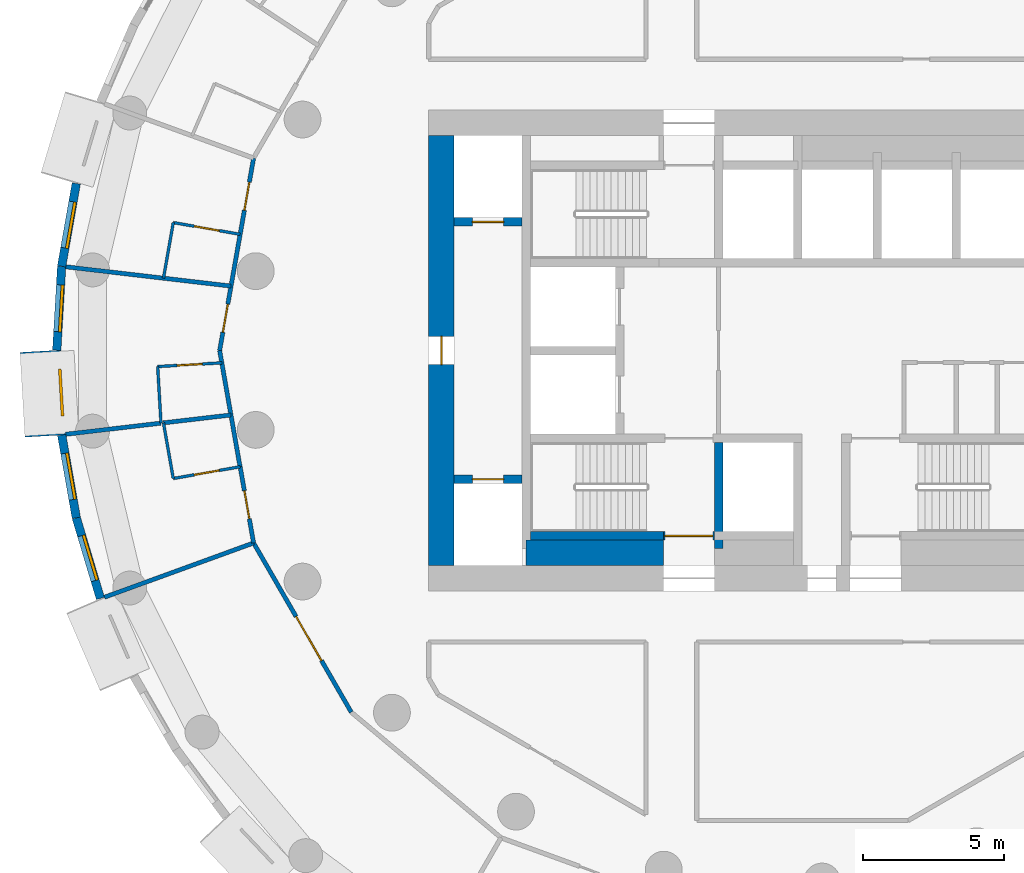
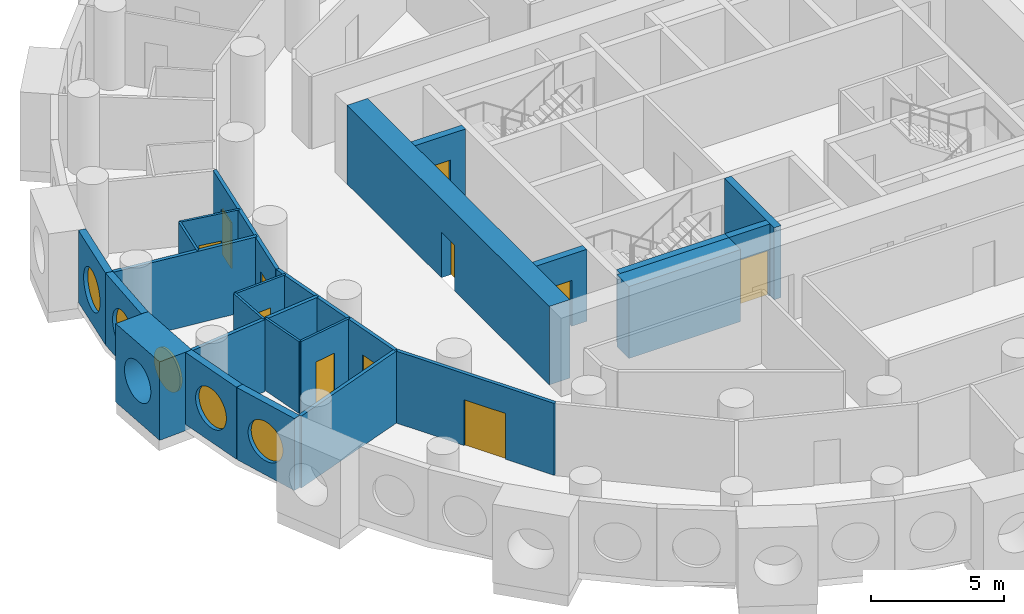
# One storey, part 3 of 10: 26 walls, 11 doors, 5 windows, 16 openings.
"""IFC4 building model written with IfcOpenShell, lengths in metres."""

from ifc_helpers import new_model, si_unit, direction, frame, frame_2d, origin, origin_2d, place, context, subcontext, project, spatial, rectangle, circle, extrude, material, layer, layer_set, type_object, element, fill, save


model = new_model("IFC4")

# Units and contexts
model_context = context("Model", 3, precision=1e-05, world=origin(), true_north=direction((0.0, 1.0)))
body_context = subcontext(model_context, "Body", "Model", "MODEL_VIEW")
ifc_project = project(units=[si_unit("LENGTHUNIT", "METRE"), si_unit("AREAUNIT", "SQUARE_METRE"), si_unit("VOLUMEUNIT", "CUBIC_METRE"), si_unit("PLANEANGLEUNIT", "RADIAN"), si_unit("MASSUNIT", "GRAM", prefix="KILO")], contexts=[model_context])

# Site, building, storey
site_placement = place(None, origin())
site = spatial("IfcSite", under=ifc_project, at=site_placement, CompositionType="ELEMENT")
building_placement = place(site_placement, origin())
building = spatial("IfcBuilding", under=site, at=building_placement, Name="Tracery Tower", CompositionType="ELEMENT")
storey_placement = place(building_placement, frame((0.0, 0.0, 140.39990234375)))
storey = spatial("IfcBuildingStorey", under=building, at=storey_placement, Name="L35", CompositionType="ELEMENT", Elevation=140.39990234375)

# Wall
ifc_material_1 = material(Name="Concrete C50/60", Category="concrete")
ifc_layer_1 = layer(ifc_material_1, 0.89990234375)
ifc_layer_set_1 = layer_set([ifc_layer_1], Name="Core strip wall 900 C50")
wall_type_1 = type_object("IfcWallType", Name="Core strip wall 900 C50", PredefinedType="SOLIDWALL", material=ifc_layer_set_1)
wall_1_placement = place(storey_placement, frame((-9.050048828125, -7.14990234375, 0.0), z_axis=(0.0, 0.0, 1.0), x_axis=(1.0, 0.0, 0.0)))
element("IfcWall", 1, at=wall_1_placement, inside=storey, type_object=wall_type_1, Name="L35 F thick S W", PredefinedType="SOLIDWALL", context=body_context, shape_type="SweptSolid", body=[
    extrude(rectangle(XDim=4.85009765625, YDim=0.89990234375, at=frame_2d((2.425048828125, 0.0))), origin(), (0.0, 0.0, 1.0), 3.300048828125),
])

# Wall, opening, door
ifc_material_2 = material(Name="Concrete C50/60", Category="concrete")
ifc_layer_2 = layer(ifc_material_2, 0.89990234375)
ifc_layer_set_2 = layer_set([ifc_layer_2], Name="Core wall 900 C50")
wall_type_2 = type_object("IfcWallType", Name="Core wall 900 C50", PredefinedType="SOLIDWALL", material=ifc_layer_set_2)
wall_2_placement = place(storey_placement, frame((-12.050048828125, -7.60009765625, 0.0), z_axis=(0.0, 0.0, 1.0), x_axis=(0.0, 1.0, 0.0)))
wall_2 = element("IfcWall", 2, at=wall_2_placement, inside=storey, type_object=wall_type_2, Name="L35 outer W", PredefinedType="SOLIDWALL", context=body_context, shape_type="SweptSolid", body=[
    extrude(rectangle(XDim=15.2001953125, YDim=0.89990234375, at=frame_2d((7.60009765625, 0.0))), origin(), (0.0, 0.0, 1.0), 3.60009765625),
])
opening_1_placement = place(wall_2_placement, frame((7.10009765625, 0.0, 0.0)))
opening_1 = element("IfcOpeningElement", 3, at=opening_1_placement, cuts=wall_2, Name="Opening KD18", PredefinedType="OPENING", context=body_context, shape_type="SweptSolid", body=[
    extrude(rectangle(XDim=1.0, YDim=2.10009765625, at=frame_2d((0.5, 1.050048828125))), frame((0.0, 0.449951171875, 0.0), z_axis=(0.0, -1.0, 0.0), x_axis=(1.0, 0.0, 0.0)), (0.0, 0.0, 1.0), 0.89990234375),
])
ifc_material_3 = material(Name="Steel fire door", Category="steel")
door_type_1 = type_object("IfcDoorType", Name="Core exit door 1000", OperationType="NOTDEFINED", PredefinedType="DOOR", material=ifc_material_3)
door_1_placement = place(opening_1_placement, origin())
door_1 = element("IfcDoor", 4, at=door_1_placement, inside=storey, type_object=door_type_1, Name="Core exit door", OperationType="DOUBLE_DOOR_SINGLE_SWING", OverallHeight=2.10009765625, OverallWidth=1.0, PredefinedType="DOOR", context=body_context, shape_type="SweptSolid", body=[
    extrude(rectangle(XDim=1.0, YDim=2.10009765625, at=frame_2d((0.5, 1.050048828125))), frame((0.0, 0.02490234375, 0.0), z_axis=(0.0, -1.0, 0.0), x_axis=(1.0, 0.0, 0.0)), (0.0, 0.0, 1.0), 0.050048828125),
])
fill(opening_1, door_1)

# Wall, opening, window
ifc_material_4 = material(Name="Precast concrete C50/60", Category="concrete")
ifc_layer_3 = layer(ifc_material_4, 1.449951171875)
ifc_layer_set_3 = layer_set([ifc_layer_3], Name="Deep-set bay unit 3000 x 3600, slab edge 300")
wall_type_3 = type_object("IfcWallType", Name="Deep-set bay unit 3000 x 3600, slab edge 300", PredefinedType="ELEMENTEDWALL", material=ifc_layer_set_3)
wall_3_placement = place(storey_placement, frame((-26.221923828125, -0.024658203125, -0.2998046875), z_axis=(0.0, 0.0, 1.0), x_axis=(0.058106596105, -0.998310384344, 0.0)))
wall_3 = element("IfcWall", 5, at=wall_3_placement, inside=storey, type_object=wall_type_3, Name="Deep-set bay unit 28 at L35", PredefinedType="ELEMENTEDWALL", context=body_context, shape_type="SweptSolid", body=[
    extrude(rectangle(XDim=3.0, YDim=1.449951171875, at=frame_2d((1.5, 0.0))), origin(), (0.0, 0.0, 1.0), 3.599853515625),
])
opening_2_placement = place(wall_3_placement, frame((1.5, 0.0, 1.85009765625)))
opening_2 = element("IfcOpeningElement", 6, at=opening_2_placement, cuts=wall_3, Name="Opening WN1", PredefinedType="OPENING", context=body_context, shape_type="SweptSolid", body=[
    extrude(circle(Radius=0.9000244140625, at=origin_2d()), frame((0.0, 0.73486328125, 0.0), z_axis=(0.0, -1.0, 0.0), x_axis=(1.0, 0.0, 0.0)), (0.0, 0.0, 1.0), 1.469970703125),
])
ifc_material_5 = material(Name="Aluminium frame with tinted double glazing", Category="aluminium")
window_type = type_object("IfcWindowType", Name="Round window 1800", PartitioningType="SINGLE_PANEL", PredefinedType="WINDOW", material=ifc_material_5)
window_1_placement = place(opening_2_placement, origin())
window_1 = element("IfcWindow", 7, at=window_1_placement, inside=storey, type_object=window_type, Name="Round window 28 at L35", OverallHeight=1.800048828125, OverallWidth=1.800048828125, PartitioningType="SINGLE_PANEL", PredefinedType="WINDOW", context=body_context, shape_type="SweptSolid", body=[
    extrude(circle(Radius=0.9000244140625, at=origin_2d()), frame((0.0, 0.69482421875, 0.0), z_axis=(0.0, -1.0, 0.0), x_axis=(1.0, 0.0, 0.0)), (0.0, 0.0, 1.0), 0.10009765625),
])
fill(opening_2, window_1)

ifc_material_6 = material(Name="Precast concrete C50/60", Category="concrete")
ifc_layer_4 = layer(ifc_material_6, 0.300048828125)
ifc_layer_set_4 = layer_set([ifc_layer_4], Name="Facade panel 3000 x 3300")
wall_type_4 = type_object("IfcWallType", Name="Facade panel 3000 x 3300", PredefinedType="SOLIDWALL", material=ifc_layer_set_4)
wall_4_placement = place(storey_placement, frame((-24.957763671875, 5.9052734375, 0.0), z_axis=(0.0, 0.0, 1.0), x_axis=(-0.173686952598, -0.984800915159, 0.0)))
wall_4 = element("IfcWall", 8, at=wall_4_placement, inside=storey, type_object=wall_type_4, Name="Facade panel 26 at L35", PredefinedType="SOLIDWALL", context=body_context, shape_type="SweptSolid", body=[
    extrude(rectangle(XDim=2.972900390625, YDim=0.300048828125, at=frame_2d((1.486328125, 0.0))), origin(), (0.0, 0.0, 1.0), 3.300048828125),
])
opening_3_placement = place(wall_4_placement, frame((1.486328125, 0.0, 1.5498046875)))
opening_3 = element("IfcOpeningElement", 9, at=opening_3_placement, cuts=wall_4, Name="Opening WN1", PredefinedType="OPENING", context=body_context, shape_type="SweptSolid", body=[
    extrude(circle(Radius=0.9000244140625, at=origin_2d()), frame((0.0, 0.159912109375, 0.0), z_axis=(0.0, -1.0, 0.0), x_axis=(1.0, 0.0, 0.0)), (0.0, 0.0, 1.0), 0.320068359375),
])
window_2_placement = place(opening_3_placement, origin())
window_2 = element("IfcWindow", 10, at=window_2_placement, inside=storey, type_object=window_type, Name="Round window 26 at L35", OverallHeight=1.800048828125, OverallWidth=1.800048828125, PartitioningType="SINGLE_PANEL", PredefinedType="WINDOW", context=body_context, shape_type="SweptSolid", body=[
    extrude(circle(Radius=0.9000244140625, at=origin_2d()), frame((0.0, 0.1201171875, 0.0), z_axis=(0.0, -1.0, 0.0), x_axis=(1.0, 0.0, 0.0)), (0.0, 0.0, 1.0), 0.10009765625),
])
fill(opening_3, window_2)

wall_5_placement = place(storey_placement, frame((-25.47412109375, 2.9775390625, 0.0), z_axis=(0.0, 0.0, 1.0), x_axis=(-0.058139540521, -0.998308466271, 0.0)))
wall_5 = element("IfcWall", 11, at=wall_5_placement, inside=storey, type_object=wall_type_4, Name="Facade panel 27 at L35", PredefinedType="SOLIDWALL", context=body_context, shape_type="SweptSolid", body=[
    extrude(rectangle(XDim=2.97314453125, YDim=0.300048828125, at=frame_2d((1.486572265625, 0.0))), origin(), (0.0, 0.0, 1.0), 3.300048828125),
])
opening_4_placement = place(wall_5_placement, frame((1.486328125, 0.0, 1.5498046875)))
opening_4 = element("IfcOpeningElement", 12, at=opening_4_placement, cuts=wall_5, Name="Opening WN1", PredefinedType="OPENING", context=body_context, shape_type="SweptSolid", body=[
    extrude(circle(Radius=0.9000244140625, at=origin_2d()), frame((0.0, 0.159912109375, 0.0), z_axis=(0.0, -1.0, 0.0), x_axis=(1.0, 0.0, 0.0)), (0.0, 0.0, 1.0), 0.320068359375),
])
window_3_placement = place(opening_4_placement, origin())
window_3 = element("IfcWindow", 13, at=window_3_placement, inside=storey, type_object=window_type, Name="Round window 27 at L35", OverallHeight=1.800048828125, OverallWidth=1.800048828125, PartitioningType="SINGLE_PANEL", PredefinedType="WINDOW", context=body_context, shape_type="SweptSolid", body=[
    extrude(circle(Radius=0.9000244140625, at=origin_2d()), frame((0.0, 0.1201171875, 0.0), z_axis=(0.0, -1.0, 0.0), x_axis=(1.0, 0.0, 0.0)), (0.0, 0.0, 1.0), 0.10009765625),
])
fill(opening_4, window_3)

wall_6_placement = place(storey_placement, frame((-25.472412109375, -2.987060546875, 0.0), z_axis=(0.0, 0.0, 1.0), x_axis=(0.173686952598, -0.984800915159, 0.0)))
wall_6 = element("IfcWall", 14, at=wall_6_placement, inside=storey, type_object=wall_type_4, Name="Facade panel 29 at L35", PredefinedType="SOLIDWALL", context=body_context, shape_type="SweptSolid", body=[
    extrude(rectangle(XDim=2.972900390625, YDim=0.300048828125, at=frame_2d((1.486328125, 0.0))), origin(), (0.0, 0.0, 1.0), 3.300048828125),
])
opening_5_placement = place(wall_6_placement, frame((1.486328125, 0.0, 1.5498046875)))
opening_5 = element("IfcOpeningElement", 15, at=opening_5_placement, cuts=wall_6, Name="Opening WN1", PredefinedType="OPENING", context=body_context, shape_type="SweptSolid", body=[
    extrude(circle(Radius=0.9000244140625, at=origin_2d()), frame((0.0, 0.159912109375, 0.0), z_axis=(0.0, -1.0, 0.0), x_axis=(1.0, 0.0, 0.0)), (0.0, 0.0, 1.0), 0.320068359375),
])
window_4_placement = place(opening_5_placement, origin())
window_4 = element("IfcWindow", 16, at=window_4_placement, inside=storey, type_object=window_type, Name="Round window 29 at L35", OverallHeight=1.800048828125, OverallWidth=1.800048828125, PartitioningType="SINGLE_PANEL", PredefinedType="WINDOW", context=body_context, shape_type="SweptSolid", body=[
    extrude(circle(Radius=0.9000244140625, at=origin_2d()), frame((0.0, 0.1201171875, 0.0), z_axis=(0.0, -1.0, 0.0), x_axis=(1.0, 0.0, 0.0)), (0.0, 0.0, 1.0), 0.10009765625),
])
fill(opening_5, window_4)

wall_7_placement = place(storey_placement, frame((-24.9560546875, -5.914794921875, 0.0), z_axis=(0.0, 0.0, 1.0), x_axis=(0.286782750849, -0.957995643944, 0.0)))
wall_7 = element("IfcWall", 17, at=wall_7_placement, inside=storey, type_object=wall_type_4, Name="Facade panel 30 at L35", PredefinedType="SOLIDWALL", context=body_context, shape_type="SweptSolid", body=[
    extrude(rectangle(XDim=2.97265625, YDim=0.300048828125, at=frame_2d((1.486328125, 0.0))), origin(), (0.0, 0.0, 1.0), 3.300048828125),
])
opening_6_placement = place(wall_7_placement, frame((1.486328125, 0.0, 1.5498046875)))
opening_6 = element("IfcOpeningElement", 18, at=opening_6_placement, cuts=wall_7, Name="Opening WN1", PredefinedType="OPENING", context=body_context, shape_type="SweptSolid", body=[
    extrude(circle(Radius=0.9000244140625, at=origin_2d()), frame((0.0, 0.159912109375, 0.0), z_axis=(0.0, -1.0, 0.0), x_axis=(1.0, 0.0, 0.0)), (0.0, 0.0, 1.0), 0.320068359375),
])
window_5_placement = place(opening_6_placement, origin())
window_5 = element("IfcWindow", 19, at=window_5_placement, inside=storey, type_object=window_type, Name="Round window 30 at L35", OverallHeight=1.800048828125, OverallWidth=1.800048828125, PartitioningType="SINGLE_PANEL", PredefinedType="WINDOW", context=body_context, shape_type="SweptSolid", body=[
    extrude(circle(Radius=0.9000244140625, at=origin_2d()), frame((0.0, 0.1201171875, 0.0), z_axis=(0.0, -1.0, 0.0), x_axis=(1.0, 0.0, 0.0)), (0.0, 0.0, 1.0), 0.10009765625),
])
fill(opening_6, window_5)

# Wall, opening, door
ifc_material_7 = material(Name="Plasterboard on steel studs", Category="steel")
ifc_layer_5 = layer(ifc_material_7, 0.10009765625)
ifc_layer_set_5 = layer_set([ifc_layer_5], Name="Partition 100 wet wall")
wall_type_5 = type_object("IfcWallType", Name="Partition 100 wet wall", PredefinedType="PARTITIONING", material=ifc_layer_set_5)
wall_8_placement = place(storey_placement, frame((-21.527099609375, 4.52392578125, 0.0), z_axis=(0.0, 0.0, 1.0), x_axis=(0.9848663854, -0.173315327969, 0.0)))
wall_8 = element("IfcWall", 20, at=wall_8_placement, inside=storey, type_object=wall_type_5, Name="Wet wall RB2-067", PredefinedType="PARTITIONING", context=body_context, shape_type="SweptSolid", body=[
    extrude(rectangle(XDim=2.400390625, YDim=0.10009765625, at=frame_2d((1.2001953125, 0.0))), origin(), (0.0, 0.0, 1.0), 3.300048828125),
])
opening_7_placement = place(wall_8_placement, frame((0.750244140625, 0.0, 0.0)))
opening_7 = element("IfcOpeningElement", 21, at=opening_7_placement, cuts=wall_8, Name="Opening RB2-22", PredefinedType="OPENING", context=body_context, shape_type="SweptSolid", body=[
    extrude(rectangle(XDim=0.89990234375, YDim=2.0400390625, at=frame_2d((0.449951171875, 1.02001953125))), frame((0.0, 0.050048828125, 0.0), z_axis=(0.0, -1.0, 0.0), x_axis=(1.0, 0.0, 0.0)), (0.0, 0.0, 1.0), 0.10009765625),
])
ifc_material_8 = material(Name="Timber door leaf", Category="wood")
door_type_2 = type_object("IfcDoorType", Name="Door en-suite 900", OperationType="NOTDEFINED", PredefinedType="DOOR", material=ifc_material_8)
door_2_placement = place(opening_7_placement, origin())
door_2 = element("IfcDoor", 22, at=door_2_placement, inside=storey, type_object=door_type_2, Name="En-suite door RB2-22", OperationType="SINGLE_SWING_LEFT", OverallHeight=2.0400390625, OverallWidth=0.89990234375, PredefinedType="DOOR", context=body_context, shape_type="SweptSolid", body=[
    extrude(rectangle(XDim=0.89990234375, YDim=2.0400390625, at=frame_2d((0.449951171875, 1.02001953125))), frame((0.0, 0.02490234375, 0.0), z_axis=(0.0, -1.0, 0.0), x_axis=(1.0, 0.0, 0.0)), (0.0, 0.0, 1.0), 0.050048828125),
])
fill(opening_7, door_2)

# Wall
wall_9_placement = place(storey_placement, frame((-21.8740234375, 2.556884765625, 0.0), z_axis=(0.0, 0.0, 1.0), x_axis=(0.17368771375, 0.984800780916, 0.0)))
element("IfcWall", 23, at=wall_9_placement, inside=storey, type_object=wall_type_5, Name="Wet wall RB2-068", PredefinedType="PARTITIONING", context=body_context, shape_type="SweptSolid", body=[
    extrude(rectangle(XDim=1.997314453125, YDim=0.10009765625, at=frame_2d((0.99853515625, 0.0))), origin(), (0.0, 0.0, 1.0), 3.300048828125),
])

# Wall, opening, door
wall_10_placement = place(storey_placement, frame((-22.0791015625, -0.56689453125, 0.0), z_axis=(0.0, 0.0, 1.0), x_axis=(0.998314893836, 0.058029068102, 0.0)))
wall_10 = element("IfcWall", 24, at=wall_10_placement, inside=storey, type_object=wall_type_5, Name="Wet wall RB2-070", PredefinedType="PARTITIONING", context=body_context, shape_type="SweptSolid", body=[
    extrude(rectangle(XDim=2.27197265625, YDim=0.10009765625, at=frame_2d((1.135986328125, 0.0))), origin(), (0.0, 0.0, 1.0), 3.300048828125),
])
opening_8_placement = place(wall_10_placement, frame((0.685791015625, 0.0, 0.0)))
opening_8 = element("IfcOpeningElement", 25, at=opening_8_placement, cuts=wall_10, Name="Opening RB2-24", PredefinedType="OPENING", context=body_context, shape_type="SweptSolid", body=[
    extrude(rectangle(XDim=0.89990234375, YDim=2.0400390625, at=frame_2d((0.449951171875, 1.02001953125))), frame((0.0, 0.050048828125, 0.0), z_axis=(0.0, -1.0, 0.0), x_axis=(1.0, 0.0, 0.0)), (0.0, 0.0, 1.0), 0.10009765625),
])
door_3_placement = place(opening_8_placement, origin())
door_3 = element("IfcDoor", 26, at=door_3_placement, inside=storey, type_object=door_type_2, Name="En-suite door RB2-24", OperationType="SINGLE_SWING_RIGHT", OverallHeight=2.0400390625, OverallWidth=0.89990234375, PredefinedType="DOOR", context=body_context, shape_type="SweptSolid", body=[
    extrude(rectangle(XDim=0.89990234375, YDim=2.0400390625, at=frame_2d((0.449951171875, 1.02001953125))), frame((0.0, 0.02490234375, 0.0), z_axis=(0.0, -1.0, 0.0), x_axis=(1.0, 0.0, 0.0)), (0.0, 0.0, 1.0), 0.050048828125),
])
fill(opening_8, door_3)

# Walls
wall_11_placement = place(storey_placement, frame((-22.0791015625, -0.56689453125, 0.0), z_axis=(0.0, 0.0, 1.0), x_axis=(0.058493425416, -0.998287793766, 0.0)))
element("IfcWall", 27, at=wall_11_placement, inside=storey, type_object=wall_type_5, Name="Wet wall RB2-071", PredefinedType="PARTITIONING", context=body_context, shape_type="SweptSolid", body=[
    extrude(rectangle(XDim=2.00341796875, YDim=0.10009765625, at=frame_2d((1.001708984375, 0.0))), origin(), (0.0, 0.0, 1.0), 3.300048828125),
])
wall_12_placement = place(storey_placement, frame((-21.8740234375, -2.556884765625, 0.0), z_axis=(0.0, 0.0, 1.0), x_axis=(0.17368771375, -0.984800780916, 0.0)))
element("IfcWall", 28, at=wall_12_placement, inside=storey, type_object=wall_type_5, Name="Wet wall RB2-074", PredefinedType="PARTITIONING", context=body_context, shape_type="SweptSolid", body=[
    extrude(rectangle(XDim=1.997314453125, YDim=0.10009765625, at=frame_2d((0.99853515625, 0.0))), origin(), (0.0, 0.0, 1.0), 3.300048828125),
])

# Wall, opening, door
wall_13_placement = place(storey_placement, frame((-21.527099609375, -4.52392578125, 0.0), z_axis=(0.0, 0.0, 1.0), x_axis=(0.9848663854, 0.173315327969, 0.0)))
wall_13 = element("IfcWall", 29, at=wall_13_placement, inside=storey, type_object=wall_type_5, Name="Wet wall RB2-075", PredefinedType="PARTITIONING", context=body_context, shape_type="SweptSolid", body=[
    extrude(rectangle(XDim=2.400390625, YDim=0.10009765625, at=frame_2d((1.2001953125, 0.0))), origin(), (0.0, 0.0, 1.0), 3.300048828125),
])
opening_9_placement = place(wall_13_placement, frame((0.75, 0.0, 0.0)))
opening_9 = element("IfcOpeningElement", 30, at=opening_9_placement, cuts=wall_13, Name="Opening RB2-26", PredefinedType="OPENING", context=body_context, shape_type="SweptSolid", body=[
    extrude(rectangle(XDim=0.89990234375, YDim=2.0400390625, at=frame_2d((0.449951171875, 1.02001953125))), frame((0.0, 0.050048828125, 0.0), z_axis=(0.0, -1.0, 0.0), x_axis=(1.0, 0.0, 0.0)), (0.0, 0.0, 1.0), 0.10009765625),
])
door_4_placement = place(opening_9_placement, origin())
door_4 = element("IfcDoor", 31, at=door_4_placement, inside=storey, type_object=door_type_2, Name="En-suite door RB2-26", OperationType="SINGLE_SWING_LEFT", OverallHeight=2.0400390625, OverallWidth=0.89990234375, PredefinedType="DOOR", context=body_context, shape_type="SweptSolid", body=[
    extrude(rectangle(XDim=0.89990234375, YDim=2.0400390625, at=frame_2d((0.449951171875, 1.02001953125))), frame((0.0, 0.02490234375, 0.0), z_axis=(0.0, -1.0, 0.0), x_axis=(1.0, 0.0, 0.0)), (0.0, 0.0, 1.0), 0.050048828125),
])
fill(opening_9, door_4)

# Walls
ifc_material_9 = material(Name="Plasterboard on steel studs", Category="steel")
ifc_layer_6 = layer(ifc_material_9, 0.14990234375)
ifc_layer_set_6 = layer_set([ifc_layer_6], Name="Partition 150 acoustic unit wall")
wall_type_6 = type_object("IfcWallType", Name="Partition 150 acoustic unit wall", PredefinedType="PARTITIONING", material=ifc_layer_set_6)
wall_14_placement = place(storey_placement, frame((-25.324951171875, 2.9599609375, 0.0), z_axis=(0.0, 0.0, 1.0), x_axis=(0.993249747924, -0.115995423397, 0.0)))
element("IfcWall", 32, at=wall_14_placement, inside=storey, type_object=wall_type_6, Name="Unit wall RB2-069", PredefinedType="PARTITIONING", context=body_context, shape_type="SweptSolid", body=[
    extrude(rectangle(XDim=5.878662109375, YDim=0.14990234375, at=frame_2d((2.939453125, 0.0))), origin(), (0.0, 0.0, 1.0), 3.300048828125),
])
wall_15_placement = place(storey_placement, frame((-25.324951171875, -2.9599609375, 0.0), z_axis=(0.0, 0.0, 1.0), x_axis=(0.993238911344, 0.11608817766, 0.0)))
element("IfcWall", 33, at=wall_15_placement, inside=storey, type_object=wall_type_6, Name="Unit wall RB2-072", PredefinedType="PARTITIONING", context=body_context, shape_type="SweptSolid", body=[
    extrude(rectangle(XDim=3.385986328125, YDim=0.14990234375, at=frame_2d((1.69287109375, 0.0))), origin(), (0.0, 0.0, 1.0), 3.300048828125),
])
wall_16_placement = place(storey_placement, frame((-21.8779296875, -2.556884765625, 0.0), z_axis=(0.0, 0.0, 1.0), x_axis=(0.99327460921, 0.115782341913, 0.0)))
element("IfcWall", 34, at=wall_16_placement, inside=storey, type_object=wall_type_6, Name="Unit wall RB2-073", PredefinedType="PARTITIONING", context=body_context, shape_type="SweptSolid", body=[
    extrude(rectangle(XDim=2.407958984375, YDim=0.14990234375, at=frame_2d((1.2041015625, 0.0))), origin(), (0.0, 0.0, 1.0), 3.300048828125),
])
wall_17_placement = place(storey_placement, frame((-23.9599609375, -8.720947265625, 0.0), z_axis=(0.0, 0.0, 1.0), x_axis=(0.939686652043, 0.342036541866, 0.0)))
element("IfcWall", 35, at=wall_17_placement, inside=storey, type_object=wall_type_6, Name="Unit wall RB2-076", PredefinedType="PARTITIONING", context=body_context, shape_type="SweptSolid", body=[
    extrude(rectangle(XDim=5.6103515625, YDim=0.14990234375, at=frame_2d((2.80517578125, 0.0))), origin(), (0.0, 0.0, 1.0), 3.300048828125),
])

# Wall, openings, doors
ifc_material_10 = material(Name="Plasterboard on steel studs", Category="steel")
ifc_layer_7 = layer(ifc_material_10, 0.14990234375)
ifc_layer_set_7 = layer_set([ifc_layer_7], Name="Partition 150 corridor wall")
wall_type_7 = type_object("IfcWallType", Name="Partition 150 corridor wall", PredefinedType="PARTITIONING", material=ifc_layer_set_7)
wall_18_placement = place(storey_placement, frame((-19.88818359375, 0.0, 0.0), z_axis=(0.0, 0.0, 1.0), x_axis=(0.173763153374, 0.984787472772, 0.0)))
wall_18 = element("IfcWall", 36, at=wall_18_placement, inside=storey, type_object=wall_type_7, Name="Corridor wall RB2-027", PredefinedType="PARTITIONING", context=body_context, shape_type="SweptSolid", body=[
    extrude(rectangle(XDim=6.906982421875, YDim=0.14990234375, at=frame_2d((3.45361328125, 0.0))), origin(), (0.0, 0.0, 1.0), 3.300048828125),
])
opening_10_placement = place(wall_18_placement, frame((5.037353515625, 0.0, 0.0)))
opening_10 = element("IfcOpeningElement", 37, at=opening_10_placement, cuts=wall_18, Name="Opening RB2-23", PredefinedType="OPENING", context=body_context, shape_type="SweptSolid", body=[
    extrude(rectangle(XDim=1.0, YDim=2.10009765625, at=frame_2d((0.5, 1.050048828125))), frame((0.0, 0.074951171875, 0.0), z_axis=(0.0, -1.0, 0.0), x_axis=(1.0, 0.0, 0.0)), (0.0, 0.0, 1.0), 0.14990234375),
])
opening_11_placement = place(wall_18_placement, frame((0.658935546875, 0.0, 0.0)))
opening_11 = element("IfcOpeningElement", 38, at=opening_11_placement, cuts=wall_18, Name="Opening RB2-25", PredefinedType="OPENING", context=body_context, shape_type="SweptSolid", body=[
    extrude(rectangle(XDim=1.0, YDim=2.10009765625, at=frame_2d((0.5, 1.050048828125))), frame((0.0, 0.074951171875, 0.0), z_axis=(0.0, -1.0, 0.0), x_axis=(1.0, 0.0, 0.0)), (0.0, 0.0, 1.0), 0.14990234375),
])
ifc_material_11 = material(Name="Timber door leaf", Category="wood")
door_type_3 = type_object("IfcDoorType", Name="Door unit entrance 1000", OperationType="NOTDEFINED", PredefinedType="DOOR", material=ifc_material_11)
door_5_placement = place(opening_10_placement, origin())
door_5 = element("IfcDoor", 39, at=door_5_placement, inside=storey, type_object=door_type_3, Name="Unit entrance door RB2-23", OperationType="SINGLE_SWING_RIGHT", OverallHeight=2.10009765625, OverallWidth=1.0, PredefinedType="DOOR", context=body_context, shape_type="SweptSolid", body=[
    extrude(rectangle(XDim=1.0, YDim=2.10009765625, at=frame_2d((0.5, 1.050048828125))), frame((0.0, 0.02490234375, 0.0), z_axis=(0.0, -1.0, 0.0), x_axis=(1.0, 0.0, 0.0)), (0.0, 0.0, 1.0), 0.050048828125),
])
fill(opening_10, door_5)
door_6_placement = place(opening_11_placement, origin())
door_6 = element("IfcDoor", 40, at=door_6_placement, inside=storey, type_object=door_type_3, Name="Unit entrance door RB2-25", OperationType="SINGLE_SWING_RIGHT", OverallHeight=2.10009765625, OverallWidth=1.0, PredefinedType="DOOR", context=body_context, shape_type="SweptSolid", body=[
    extrude(rectangle(XDim=1.0, YDim=2.10009765625, at=frame_2d((0.5, 1.050048828125))), frame((0.0, 0.02490234375, 0.0), z_axis=(0.0, -1.0, 0.0), x_axis=(1.0, 0.0, 0.0)), (0.0, 0.0, 1.0), 0.050048828125),
])
fill(opening_11, door_6)

# Wall
wall_19_placement = place(storey_placement, frame((-19.887939453125, 0.0, 0.0), z_axis=(0.0, 0.0, 1.0), x_axis=(0.1727845501, -0.984959643461, 0.0)))
element("IfcWall", 41, at=wall_19_placement, inside=storey, type_object=wall_type_7, Name="Corridor wall RB2-028", PredefinedType="PARTITIONING", context=body_context, shape_type="SweptSolid", body=[
    extrude(rectangle(XDim=4.17529296875, YDim=0.14990234375, at=frame_2d((2.087646484375, 0.0))), origin(), (0.0, 0.0, 1.0), 3.300048828125),
])

# Wall, opening, door
wall_20_placement = place(storey_placement, frame((-19.1640625, -4.10400390625, 0.0), z_axis=(0.0, 0.0, 1.0), x_axis=(0.173770083029, -0.984786250028, 0.0)))
wall_20 = element("IfcWall", 42, at=wall_20_placement, inside=storey, type_object=wall_type_7, Name="Corridor wall RB2-029", PredefinedType="PARTITIONING", context=body_context, shape_type="SweptSolid", body=[
    extrude(rectangle(XDim=2.73974609375, YDim=0.14990234375, at=frame_2d((1.369873046875, 0.0))), origin(), (0.0, 0.0, 1.0), 3.300048828125),
])
opening_12_placement = place(wall_20_placement, frame((0.86962890625, 0.0, 0.0)))
opening_12 = element("IfcOpeningElement", 43, at=opening_12_placement, cuts=wall_20, Name="Opening RB2-27", PredefinedType="OPENING", context=body_context, shape_type="SweptSolid", body=[
    extrude(rectangle(XDim=1.0, YDim=2.10009765625, at=frame_2d((0.5, 1.050048828125))), frame((0.0, 0.074951171875, 0.0), z_axis=(0.0, -1.0, 0.0), x_axis=(1.0, 0.0, 0.0)), (0.0, 0.0, 1.0), 0.14990234375),
])
door_7_placement = place(opening_12_placement, origin())
door_7 = element("IfcDoor", 44, at=door_7_placement, inside=storey, type_object=door_type_3, Name="Unit entrance door RB2-27", OperationType="SINGLE_SWING_RIGHT", OverallHeight=2.10009765625, OverallWidth=1.0, PredefinedType="DOOR", context=body_context, shape_type="SweptSolid", body=[
    extrude(rectangle(XDim=1.0, YDim=2.10009765625, at=frame_2d((0.5, 1.050048828125))), frame((0.0, 0.02490234375, 0.0), z_axis=(0.0, -1.0, 0.0), x_axis=(1.0, 0.0, 0.0)), (0.0, 0.0, 1.0), 0.050048828125),
])
fill(opening_12, door_7)

wall_21_placement = place(storey_placement, frame((-18.68798828125, -6.802001953125, 0.0), z_axis=(0.0, 0.0, 1.0), x_axis=(0.499914202267, -0.866074933462, 0.0)))
wall_21 = element("IfcWall", 45, at=wall_21_placement, inside=storey, type_object=wall_type_7, Name="Corridor wall RB2-031", PredefinedType="PARTITIONING", context=body_context, shape_type="SweptSolid", body=[
    extrude(rectangle(XDim=6.906982421875, YDim=0.14990234375, at=frame_2d((3.45361328125, 0.0))), origin(), (0.0, 0.0, 1.0), 3.300048828125),
])
opening_13_placement = place(wall_21_placement, frame((3.003173828125, 0.0, 0.0)))
opening_13 = element("IfcOpeningElement", 46, at=opening_13_placement, cuts=wall_21, Name="Opening RB2-28", PredefinedType="OPENING", context=body_context, shape_type="SweptSolid", body=[
    extrude(rectangle(XDim=1.800048828125, YDim=2.10009765625, at=frame_2d((0.89990234375, 1.050048828125))), frame((0.0, 0.074951171875, 0.0), z_axis=(0.0, -1.0, 0.0), x_axis=(1.0, 0.0, 0.0)), (0.0, 0.0, 1.0), 0.14990234375),
])
ifc_material_12 = material(Name="Timber door leaf", Category="wood")
door_type_4 = type_object("IfcDoorType", Name="Door double lounge 1800", OperationType="NOTDEFINED", PredefinedType="DOOR", material=ifc_material_12)
door_8_placement = place(opening_13_placement, origin())
door_8 = element("IfcDoor", 47, at=door_8_placement, inside=storey, type_object=door_type_4, Name="Double lounge door RB2-28", OperationType="DOUBLE_DOOR_SINGLE_SWING", OverallHeight=2.10009765625, OverallWidth=1.800048828125, PredefinedType="DOOR", context=body_context, shape_type="SweptSolid", body=[
    extrude(rectangle(XDim=1.800048828125, YDim=2.10009765625, at=frame_2d((0.89990234375, 1.050048828125))), frame((0.0, 0.02490234375, 0.0), z_axis=(0.0, -1.0, 0.0), x_axis=(1.0, 0.0, 0.0)), (0.0, 0.0, 1.0), 0.050048828125),
])
fill(opening_13, door_8)

ifc_material_13 = material(Name="Concrete C50/60", Category="concrete")
ifc_layer_8 = layer(ifc_material_13, 0.300048828125)
ifc_layer_set_8 = layer_set([ifc_layer_8], Name="Shaft wall 300 C50")
wall_type_8 = type_object("IfcWallType", Name="Shaft wall 300 C50", PredefinedType="SOLIDWALL", material=ifc_layer_set_8)
wall_22_placement = place(storey_placement, frame((-11.60009765625, -4.550048828125, 0.0), z_axis=(0.0, 0.0, 1.0), x_axis=(1.0, 0.0, 0.0)))
wall_22 = element("IfcWall", 48, at=wall_22_placement, inside=storey, type_object=wall_type_8, Name="L35 MR W -4.55", PredefinedType="SOLIDWALL", context=body_context, shape_type="SweptSolid", body=[
    extrude(rectangle(XDim=2.400146484375, YDim=0.300048828125, at=frame_2d((1.2001953125, 0.0))), origin(), (0.0, 0.0, 1.0), 3.300048828125),
])
opening_14_placement = place(wall_22_placement, frame((0.64990234375, 0.0, 0.0)))
opening_14 = element("IfcOpeningElement", 49, at=opening_14_placement, cuts=wall_22, Name="Opening KD50", PredefinedType="OPENING", context=body_context, shape_type="SweptSolid", body=[
    extrude(rectangle(XDim=1.10009765625, YDim=2.10009765625, at=frame_2d((0.550048828125, 1.050048828125))), frame((0.0, 0.14990234375, 0.0), z_axis=(0.0, -1.0, 0.0), x_axis=(1.0, 0.0, 0.0)), (0.0, 0.0, 1.0), 0.300048828125),
])
ifc_material_14 = material(Name="Steel fire door", Category="steel")
door_type_5 = type_object("IfcDoorType", Name="Landing door 1100", OperationType="NOTDEFINED", PredefinedType="DOOR", material=ifc_material_14)
door_9_placement = place(opening_14_placement, origin())
door_9 = element("IfcDoor", 50, at=door_9_placement, inside=storey, type_object=door_type_5, Name="Landing door MR1", OperationType="SLIDING_TO_RIGHT", OverallHeight=2.10009765625, OverallWidth=1.10009765625, PredefinedType="DOOR", context=body_context, shape_type="SweptSolid", body=[
    extrude(rectangle(XDim=1.10009765625, YDim=2.10009765625, at=frame_2d((0.550048828125, 1.050048828125))), frame((0.0, 0.02490234375, 0.0), z_axis=(0.0, -1.0, 0.0), x_axis=(1.0, 0.0, 0.0)), (0.0, 0.0, 1.0), 0.050048828125),
])
fill(opening_14, door_9)

wall_23_placement = place(storey_placement, frame((-11.60009765625, 4.550048828125, 0.0), z_axis=(0.0, 0.0, 1.0), x_axis=(1.0, 0.0, 0.0)))
wall_23 = element("IfcWall", 51, at=wall_23_placement, inside=storey, type_object=wall_type_8, Name="L35 MR W +4.55", PredefinedType="SOLIDWALL", context=body_context, shape_type="SweptSolid", body=[
    extrude(rectangle(XDim=2.400146484375, YDim=0.300048828125, at=frame_2d((1.2001953125, 0.0))), origin(), (0.0, 0.0, 1.0), 3.300048828125),
])
opening_15_placement = place(wall_23_placement, frame((0.64990234375, 0.0, 0.0)))
opening_15 = element("IfcOpeningElement", 52, at=opening_15_placement, cuts=wall_23, Name="Opening KD49", PredefinedType="OPENING", context=body_context, shape_type="SweptSolid", body=[
    extrude(rectangle(XDim=1.10009765625, YDim=2.10009765625, at=frame_2d((0.550048828125, 1.050048828125))), frame((0.0, 0.14990234375, 0.0), z_axis=(0.0, -1.0, 0.0), x_axis=(1.0, 0.0, 0.0)), (0.0, 0.0, 1.0), 0.300048828125),
])
door_10_placement = place(opening_15_placement, origin())
door_10 = element("IfcDoor", 53, at=door_10_placement, inside=storey, type_object=door_type_5, Name="Landing door MR2", OperationType="SLIDING_TO_LEFT", OverallHeight=2.10009765625, OverallWidth=1.10009765625, PredefinedType="DOOR", context=body_context, shape_type="SweptSolid", body=[
    extrude(rectangle(XDim=1.10009765625, YDim=2.10009765625, at=frame_2d((0.550048828125, 1.050048828125))), frame((0.0, 0.02490234375, 0.0), z_axis=(0.0, -1.0, 0.0), x_axis=(1.0, 0.0, 0.0)), (0.0, 0.0, 1.0), 0.050048828125),
])
fill(opening_15, door_10)

# Walls
ifc_material_15 = material(Name="Concrete C50/60", Category="concrete")
ifc_layer_9 = layer(ifc_material_15, 0.300048828125)
ifc_layer_set_9 = layer_set([ifc_layer_9], Name="Stair wall 300 C50")
wall_type_9 = type_object("IfcWallType", Name="Stair wall 300 C50", PredefinedType="SOLIDWALL", material=ifc_layer_set_9)
wall_24_placement = place(storey_placement, frame((-2.25, -7.0, 0.0), z_axis=(0.0, 0.0, 1.0), x_axis=(0.0, 1.0, 0.0)))
element("IfcWall", 54, at=wall_24_placement, inside=storey, type_object=wall_type_9, Name="L35 ST1 E", PredefinedType="SOLIDWALL", context=body_context, shape_type="SweptSolid", body=[
    extrude(rectangle(XDim=3.75, YDim=0.300048828125, at=frame_2d((1.875, 0.0))), origin(), (0.0, 0.0, 1.0), 3.300048828125),
])
wall_25_placement = place(storey_placement, frame((-8.89990234375, -6.550048828125, 0.0), z_axis=(0.0, 0.0, 1.0), x_axis=(1.0, 0.0, 0.0)))
element("IfcWall", 55, at=wall_25_placement, inside=storey, type_object=wall_type_9, Name="L35 F stair strip S W", PredefinedType="SOLIDWALL", context=body_context, shape_type="SweptSolid", body=[
    extrude(rectangle(XDim=4.699951171875, YDim=0.300048828125, at=frame_2d((2.35009765625, 0.0))), origin(), (0.0, 0.0, 1.0), 3.300048828125),
])

# Wall, opening, door
wall_26_placement = place(storey_placement, frame((-4.199951171875, -6.550048828125, 0.0), z_axis=(0.0, 0.0, 1.0), x_axis=(1.0, 0.0, 0.0)))
wall_26 = element("IfcWall", 56, at=wall_26_placement, inside=storey, type_object=wall_type_9, Name="L35 F stair S W", PredefinedType="SOLIDWALL", context=body_context, shape_type="SweptSolid", body=[
    extrude(rectangle(XDim=1.800048828125, YDim=0.300048828125, at=frame_2d((0.89990234375, 0.0))), origin(), (0.0, 0.0, 1.0), 3.300048828125),
])
opening_16_placement = place(wall_26_placement, frame((0.050048828125, 0.0, 0.0)))
opening_16 = element("IfcOpeningElement", 57, at=opening_16_placement, cuts=wall_26, Name="Opening KD3", PredefinedType="OPENING", context=body_context, shape_type="SweptSolid", body=[
    extrude(rectangle(XDim=1.699951171875, YDim=2.10009765625, at=frame_2d((0.85009765625, 1.050048828125))), frame((0.0, 0.14990234375, 0.0), z_axis=(0.0, -1.0, 0.0), x_axis=(1.0, 0.0, 0.0)), (0.0, 0.0, 1.0), 0.300048828125),
])
ifc_material_16 = material(Name="Steel fire door", Category="steel")
door_type_6 = type_object("IfcDoorType", Name="Core stair door 1700 double", OperationType="NOTDEFINED", PredefinedType="DOOR", material=ifc_material_16)
door_11_placement = place(opening_16_placement, origin())
door_11 = element("IfcDoor", 58, at=door_11_placement, inside=storey, type_object=door_type_6, Name="Stair door vest", OperationType="DOUBLE_DOOR_SINGLE_SWING", OverallHeight=2.10009765625, OverallWidth=1.699951171875, PredefinedType="DOOR", context=body_context, shape_type="SweptSolid", body=[
    extrude(rectangle(XDim=1.699951171875, YDim=2.10009765625, at=frame_2d((0.85009765625, 1.050048828125))), frame((0.0, 0.02490234375, 0.0), z_axis=(0.0, -1.0, 0.0), x_axis=(1.0, 0.0, 0.0)), (0.0, 0.0, 1.0), 0.050048828125),
])
fill(opening_16, door_11)

save(model, "model.ifc")
